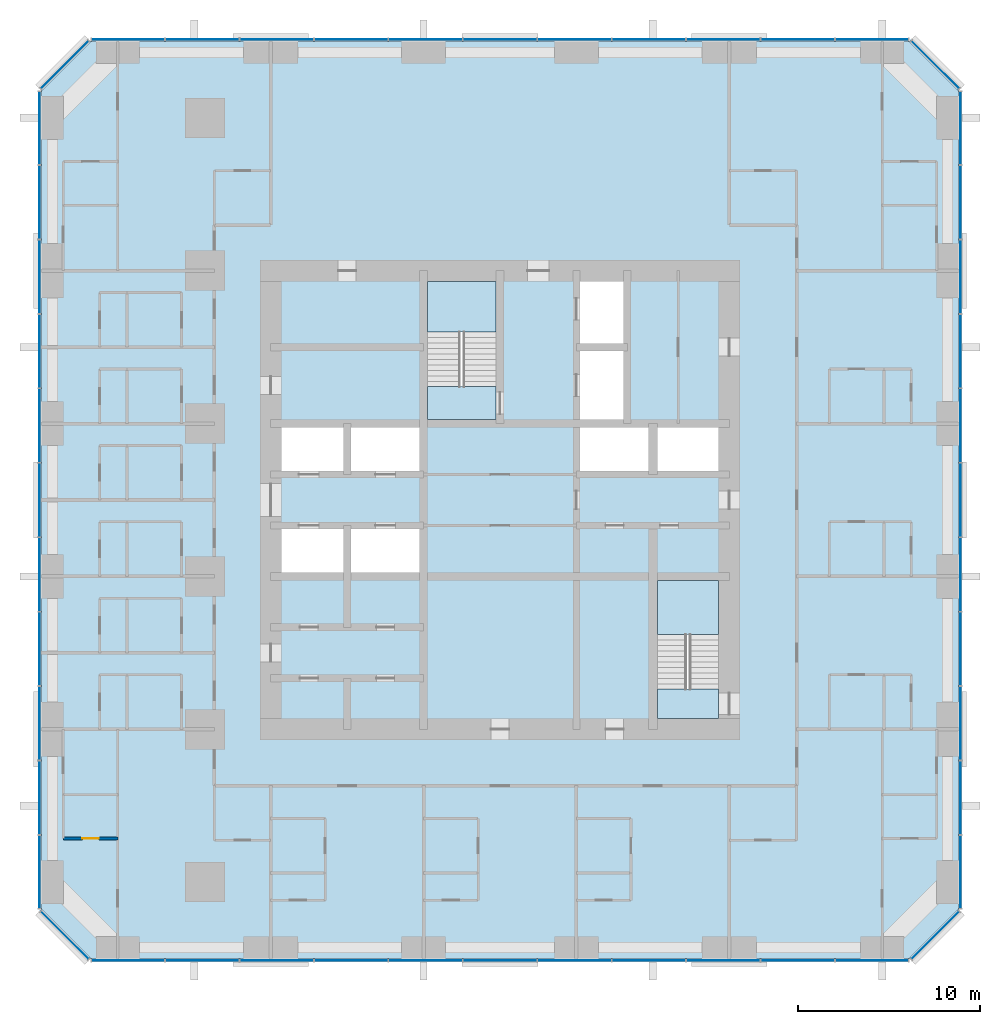
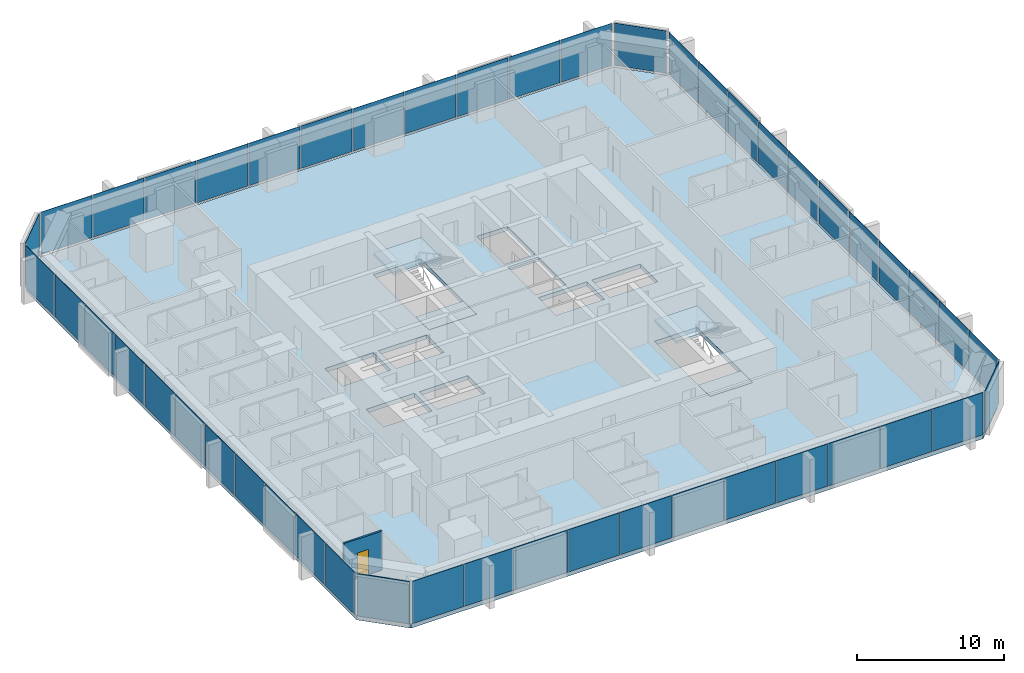
# One storey, part 7 of 13: 48 plates, 5 slabs, 1 door, 1 wall, 1 opening, 10 elements without a shape of their own.
"""IFC4 building model written with IfcOpenShell, lengths in metres."""

from ifc_helpers import new_model, si_unit, direction, frame, frame_2d, origin, origin_2d, place, context, subcontext, project, spatial, polyline, rectangle, outline, extrude, material, layer, layer_set, type_object, element, fill, aggregate, save


model = new_model("IFC4")

# Units and contexts
model_context = context("Model", 3, precision=1e-05, world=origin(), true_north=direction((0.0, 1.0)))
body_context = subcontext(model_context, "Body", "Model", "MODEL_VIEW")
ifc_project = project(units=[si_unit("LENGTHUNIT", "METRE"), si_unit("AREAUNIT", "SQUARE_METRE"), si_unit("VOLUMEUNIT", "CUBIC_METRE"), si_unit("PLANEANGLEUNIT", "RADIAN"), si_unit("MASSUNIT", "GRAM", prefix="KILO")], contexts=[model_context])

# Site, building, storey
site_placement = place(None, origin())
site = spatial("IfcSite", under=ifc_project, at=site_placement, CompositionType="ELEMENT")
building_placement = place(site_placement, origin())
building = spatial("IfcBuilding", under=site, at=building_placement, Name="Dunama Terrace Hotel", CompositionType="ELEMENT")
storey_placement = place(building_placement, frame((0.0, 0.0, 162.60009765625)))
storey = spatial("IfcBuildingStorey", under=building, at=storey_placement, Name="L41", CompositionType="ELEMENT", Elevation=162.60009765625)

# Curtain wall, plates
ifc_material_1 = material(Name="Aluminium curtain wall system", Category="aluminium")
curtain_wall_type = type_object("IfcCurtainWallType", Name="Unitised fritted glass wall CW-C", PredefinedType="NOTDEFINED", material=ifc_material_1)
curtain_wall_1_placement = place(storey_placement, origin())
curtain_wall_1 = element("IfcCurtainWall", 1, at=curtain_wall_1_placement, inside=storey, type_object=curtain_wall_type, Name="Unitised fritted glass wall CW-C L41", PredefinedType="NOTDEFINED")
ifc_material_2 = material(Name="Laminated glass", Category="glass")
ifc_layer_1 = layer(ifc_material_2, 0.031982421875)
ifc_layer_set_1 = layer_set([ifc_layer_1], Name="CWC clear glass panel")
plate_type_1 = type_object("IfcPlateType", Name="CWC clear glass panel", PredefinedType="CURTAIN_PANEL", material=ifc_layer_set_1)
plate_1_placement = place(storey_placement, frame((13.035888671875, 4.10009765625, 0.079833984375), z_axis=(0.0, 0.0, 1.0), x_axis=(1.0, 0.0, 0.0)))
plate_1 = element("IfcPlate", 2, at=plate_1_placement, type_object=plate_type_1, Name="CWC clear glass panel", PredefinedType="CURTAIN_PANEL", context=body_context, shape_type="SweptSolid", body=[
    extrude(rectangle(XDim=4.02099609375, YDim=0.031982421875, at=origin_2d()), origin(), (0.0, 0.0, 1.0), 3.52001953125),
])
plate_2_placement = place(storey_placement, frame((25.30908203125, 4.10009765625, 0.079833984375), z_axis=(0.0, 0.0, 1.0), x_axis=(1.0, 0.0, 0.0)))
plate_2 = element("IfcPlate", 3, at=plate_2_placement, type_object=plate_type_1, Name="CWC clear glass panel", PredefinedType="CURTAIN_PANEL", context=body_context, shape_type="SweptSolid", body=[
    extrude(rectangle(XDim=4.02099609375, YDim=0.031982421875, at=origin_2d()), origin(), (0.0, 0.0, 1.0), 3.52001953125),
])
plate_3_placement = place(storey_placement, frame((37.58203125, 4.10009765625, 0.079833984375), z_axis=(0.0, 0.0, 1.0), x_axis=(1.0, 0.0, 0.0)))
plate_3 = element("IfcPlate", 4, at=plate_3_placement, type_object=plate_type_1, Name="CWC clear glass panel", PredefinedType="CURTAIN_PANEL", context=body_context, shape_type="SweptSolid", body=[
    extrude(rectangle(XDim=4.02099609375, YDim=0.031982421875, at=origin_2d()), origin(), (0.0, 0.0, 1.0), 3.52001953125),
])
plate_4_placement = place(storey_placement, frame((49.8369140625, 4.10009765625, 0.079833984375), z_axis=(0.0, 0.0, 1.0), x_axis=(1.0, 0.0, 0.0)))
plate_4 = element("IfcPlate", 5, at=plate_4_placement, type_object=plate_type_1, Name="CWC clear glass panel", PredefinedType="CURTAIN_PANEL", context=body_context, shape_type="SweptSolid", body=[
    extrude(rectangle(XDim=3.98583984375, YDim=0.031982421875, at=origin_2d()), origin(), (0.0, 0.0, 1.0), 3.52001953125),
])

curtain_wall_2_placement = place(storey_placement, origin())
curtain_wall_2 = element("IfcCurtainWall", 6, at=curtain_wall_2_placement, inside=storey, type_object=curtain_wall_type, Name="Unitised fritted glass wall CW-C L41", PredefinedType="NOTDEFINED")
plate_5_placement = place(storey_placement, frame((54.699951171875, 13.035888671875, 0.079833984375), z_axis=(0.0, 0.0, 1.0), x_axis=(0.0, 1.0, 0.0)))
plate_5 = element("IfcPlate", 7, at=plate_5_placement, type_object=plate_type_1, Name="CWC clear glass panel", PredefinedType="CURTAIN_PANEL", context=body_context, shape_type="SweptSolid", body=[
    extrude(rectangle(XDim=4.02099609375, YDim=0.031982421875, at=origin_2d()), origin(), (0.0, 0.0, 1.0), 3.52001953125),
])
plate_6_placement = place(storey_placement, frame((54.699951171875, 25.30908203125, 0.079833984375), z_axis=(0.0, 0.0, 1.0), x_axis=(0.0, 1.0, 0.0)))
plate_6 = element("IfcPlate", 8, at=plate_6_placement, type_object=plate_type_1, Name="CWC clear glass panel", PredefinedType="CURTAIN_PANEL", context=body_context, shape_type="SweptSolid", body=[
    extrude(rectangle(XDim=4.02099609375, YDim=0.031982421875, at=origin_2d()), origin(), (0.0, 0.0, 1.0), 3.52001953125),
])
plate_7_placement = place(storey_placement, frame((54.699951171875, 37.58203125, 0.079833984375), z_axis=(0.0, 0.0, 1.0), x_axis=(0.0, 1.0, 0.0)))
plate_7 = element("IfcPlate", 9, at=plate_7_placement, type_object=plate_type_1, Name="CWC clear glass panel", PredefinedType="CURTAIN_PANEL", context=body_context, shape_type="SweptSolid", body=[
    extrude(rectangle(XDim=4.02099609375, YDim=0.031982421875, at=origin_2d()), origin(), (0.0, 0.0, 1.0), 3.52001953125),
])
plate_8_placement = place(storey_placement, frame((54.699951171875, 49.8369140625, 0.079833984375), z_axis=(0.0, 0.0, 1.0), x_axis=(0.0, 1.0, 0.0)))
plate_8 = element("IfcPlate", 10, at=plate_8_placement, type_object=plate_type_1, Name="CWC clear glass panel", PredefinedType="CURTAIN_PANEL", context=body_context, shape_type="SweptSolid", body=[
    extrude(rectangle(XDim=3.98583984375, YDim=0.031982421875, at=origin_2d()), origin(), (0.0, 0.0, 1.0), 3.52001953125),
])

curtain_wall_3_placement = place(storey_placement, origin())
curtain_wall_3 = element("IfcCurtainWall", 11, at=curtain_wall_3_placement, inside=storey, type_object=curtain_wall_type, Name="Unitised fritted glass wall CW-C L41", PredefinedType="NOTDEFINED")
plate_9_placement = place(storey_placement, frame((45.763916015625, 54.699951171875, 0.079833984375), z_axis=(0.0, 0.0, 1.0), x_axis=(-1.0, 0.0, 0.0)))
plate_9 = element("IfcPlate", 12, at=plate_9_placement, type_object=plate_type_1, Name="CWC clear glass panel", PredefinedType="CURTAIN_PANEL", context=body_context, shape_type="SweptSolid", body=[
    extrude(rectangle(XDim=4.02099609375, YDim=0.031982421875, at=origin_2d()), origin(), (0.0, 0.0, 1.0), 3.52001953125),
])
plate_10_placement = place(storey_placement, frame((33.490966796875, 54.699951171875, 0.079833984375), z_axis=(0.0, 0.0, 1.0), x_axis=(-1.0, 0.0, 0.0)))
plate_10 = element("IfcPlate", 13, at=plate_10_placement, type_object=plate_type_1, Name="CWC clear glass panel", PredefinedType="CURTAIN_PANEL", context=body_context, shape_type="SweptSolid", body=[
    extrude(rectangle(XDim=4.02099609375, YDim=0.031982421875, at=origin_2d()), origin(), (0.0, 0.0, 1.0), 3.52001953125),
])
plate_11_placement = place(storey_placement, frame((21.218017578125, 54.699951171875, 0.079833984375), z_axis=(0.0, 0.0, 1.0), x_axis=(-1.0, 0.0, 0.0)))
plate_11 = element("IfcPlate", 14, at=plate_11_placement, type_object=plate_type_1, Name="CWC clear glass panel", PredefinedType="CURTAIN_PANEL", context=body_context, shape_type="SweptSolid", body=[
    extrude(rectangle(XDim=4.02099609375, YDim=0.031982421875, at=origin_2d()), origin(), (0.0, 0.0, 1.0), 3.52001953125),
])
plate_12_placement = place(storey_placement, frame((8.962890625, 54.699951171875, 0.079833984375), z_axis=(0.0, 0.0, 1.0), x_axis=(-1.0, 0.0, 0.0)))
plate_12 = element("IfcPlate", 15, at=plate_12_placement, type_object=plate_type_1, Name="CWC clear glass panel", PredefinedType="CURTAIN_PANEL", context=body_context, shape_type="SweptSolid", body=[
    extrude(rectangle(XDim=3.98583984375, YDim=0.031982421875, at=origin_2d()), origin(), (0.0, 0.0, 1.0), 3.52001953125),
])

curtain_wall_4_placement = place(storey_placement, origin())
curtain_wall_4 = element("IfcCurtainWall", 16, at=curtain_wall_4_placement, inside=storey, type_object=curtain_wall_type, Name="Unitised fritted glass wall CW-C L41", PredefinedType="NOTDEFINED")
plate_13_placement = place(storey_placement, frame((4.10009765625, 45.763916015625, 0.079833984375), z_axis=(0.0, 0.0, 1.0), x_axis=(0.0, -1.0, 0.0)))
plate_13 = element("IfcPlate", 17, at=plate_13_placement, type_object=plate_type_1, Name="CWC clear glass panel", PredefinedType="CURTAIN_PANEL", context=body_context, shape_type="SweptSolid", body=[
    extrude(rectangle(XDim=4.02099609375, YDim=0.031982421875, at=origin_2d()), origin(), (0.0, 0.0, 1.0), 3.52001953125),
])
plate_14_placement = place(storey_placement, frame((4.10009765625, 33.490966796875, 0.079833984375), z_axis=(0.0, 0.0, 1.0), x_axis=(0.0, -1.0, 0.0)))
plate_14 = element("IfcPlate", 18, at=plate_14_placement, type_object=plate_type_1, Name="CWC clear glass panel", PredefinedType="CURTAIN_PANEL", context=body_context, shape_type="SweptSolid", body=[
    extrude(rectangle(XDim=4.02099609375, YDim=0.031982421875, at=origin_2d()), origin(), (0.0, 0.0, 1.0), 3.52001953125),
])
plate_15_placement = place(storey_placement, frame((4.10009765625, 21.218017578125, 0.079833984375), z_axis=(0.0, 0.0, 1.0), x_axis=(0.0, -1.0, 0.0)))
plate_15 = element("IfcPlate", 19, at=plate_15_placement, type_object=plate_type_1, Name="CWC clear glass panel", PredefinedType="CURTAIN_PANEL", context=body_context, shape_type="SweptSolid", body=[
    extrude(rectangle(XDim=4.02099609375, YDim=0.031982421875, at=origin_2d()), origin(), (0.0, 0.0, 1.0), 3.52001953125),
])
plate_16_placement = place(storey_placement, frame((4.10009765625, 8.962890625, 0.079833984375), z_axis=(0.0, 0.0, 1.0), x_axis=(0.0, -1.0, 0.0)))
plate_16 = element("IfcPlate", 20, at=plate_16_placement, type_object=plate_type_1, Name="CWC clear glass panel", PredefinedType="CURTAIN_PANEL", context=body_context, shape_type="SweptSolid", body=[
    extrude(rectangle(XDim=3.98583984375, YDim=0.031982421875, at=origin_2d()), origin(), (0.0, 0.0, 1.0), 3.52001953125),
])

# Plate
ifc_material_3 = material(Name="Fritted laminated glass", Category="glass")
ifc_layer_2 = layer(ifc_material_3, 0.031982421875)
ifc_layer_set_2 = layer_set([ifc_layer_2], Name="CWC fritted glass panel")
plate_type_2 = type_object("IfcPlateType", Name="CWC fritted glass panel", PredefinedType="CURTAIN_PANEL", material=ifc_layer_set_2)
plate_17_placement = place(storey_placement, frame((8.962890625, 4.10009765625, 0.079833984375), z_axis=(0.0, 0.0, 1.0), x_axis=(1.0, 0.0, 0.0)))
plate_17 = element("IfcPlate", 21, at=plate_17_placement, type_object=plate_type_2, Name="CWC fritted glass panel", PredefinedType="CURTAIN_PANEL", context=body_context, shape_type="SweptSolid", body=[
    extrude(rectangle(XDim=3.98583984375, YDim=0.031982421875, at=origin_2d()), origin(), (0.0, 0.0, 1.0), 3.52001953125),
])

plate_18_placement = place(storey_placement, frame((21.218017578125, 4.10009765625, 0.079833984375), z_axis=(0.0, 0.0, 1.0), x_axis=(1.0, 0.0, 0.0)))
plate_18 = element("IfcPlate", 22, at=plate_18_placement, type_object=plate_type_2, Name="CWC fritted glass panel", PredefinedType="CURTAIN_PANEL", context=body_context, shape_type="SweptSolid", body=[
    extrude(rectangle(XDim=4.02099609375, YDim=0.031982421875, at=origin_2d()), origin(), (0.0, 0.0, 1.0), 3.52001953125),
])

plate_19_placement = place(storey_placement, frame((33.490966796875, 4.10009765625, 0.079833984375), z_axis=(0.0, 0.0, 1.0), x_axis=(1.0, 0.0, 0.0)))
plate_19 = element("IfcPlate", 23, at=plate_19_placement, type_object=plate_type_2, Name="CWC fritted glass panel", PredefinedType="CURTAIN_PANEL", context=body_context, shape_type="SweptSolid", body=[
    extrude(rectangle(XDim=4.02099609375, YDim=0.031982421875, at=origin_2d()), origin(), (0.0, 0.0, 1.0), 3.52001953125),
])

plate_20_placement = place(storey_placement, frame((45.763916015625, 4.10009765625, 0.079833984375), z_axis=(0.0, 0.0, 1.0), x_axis=(1.0, 0.0, 0.0)))
plate_20 = element("IfcPlate", 24, at=plate_20_placement, type_object=plate_type_2, Name="CWC fritted glass panel", PredefinedType="CURTAIN_PANEL", context=body_context, shape_type="SweptSolid", body=[
    extrude(rectangle(XDim=4.02099609375, YDim=0.031982421875, at=origin_2d()), origin(), (0.0, 0.0, 1.0), 3.52001953125),
])

plate_21_placement = place(storey_placement, frame((54.699951171875, 8.962890625, 0.079833984375), z_axis=(0.0, 0.0, 1.0), x_axis=(0.0, 1.0, 0.0)))
plate_21 = element("IfcPlate", 25, at=plate_21_placement, type_object=plate_type_2, Name="CWC fritted glass panel", PredefinedType="CURTAIN_PANEL", context=body_context, shape_type="SweptSolid", body=[
    extrude(rectangle(XDim=3.98583984375, YDim=0.031982421875, at=origin_2d()), origin(), (0.0, 0.0, 1.0), 3.52001953125),
])

plate_22_placement = place(storey_placement, frame((54.699951171875, 21.218017578125, 0.079833984375), z_axis=(0.0, 0.0, 1.0), x_axis=(0.0, 1.0, 0.0)))
plate_22 = element("IfcPlate", 26, at=plate_22_placement, type_object=plate_type_2, Name="CWC fritted glass panel", PredefinedType="CURTAIN_PANEL", context=body_context, shape_type="SweptSolid", body=[
    extrude(rectangle(XDim=4.02099609375, YDim=0.031982421875, at=origin_2d()), origin(), (0.0, 0.0, 1.0), 3.52001953125),
])

plate_23_placement = place(storey_placement, frame((54.699951171875, 33.490966796875, 0.079833984375), z_axis=(0.0, 0.0, 1.0), x_axis=(0.0, 1.0, 0.0)))
plate_23 = element("IfcPlate", 27, at=plate_23_placement, type_object=plate_type_2, Name="CWC fritted glass panel", PredefinedType="CURTAIN_PANEL", context=body_context, shape_type="SweptSolid", body=[
    extrude(rectangle(XDim=4.02099609375, YDim=0.031982421875, at=origin_2d()), origin(), (0.0, 0.0, 1.0), 3.52001953125),
])

plate_24_placement = place(storey_placement, frame((54.699951171875, 45.763916015625, 0.079833984375), z_axis=(0.0, 0.0, 1.0), x_axis=(0.0, 1.0, 0.0)))
plate_24 = element("IfcPlate", 28, at=plate_24_placement, type_object=plate_type_2, Name="CWC fritted glass panel", PredefinedType="CURTAIN_PANEL", context=body_context, shape_type="SweptSolid", body=[
    extrude(rectangle(XDim=4.02099609375, YDim=0.031982421875, at=origin_2d()), origin(), (0.0, 0.0, 1.0), 3.52001953125),
])

plate_25_placement = place(storey_placement, frame((49.8369140625, 54.699951171875, 0.079833984375), z_axis=(0.0, 0.0, 1.0), x_axis=(-1.0, 0.0, 0.0)))
plate_25 = element("IfcPlate", 29, at=plate_25_placement, type_object=plate_type_2, Name="CWC fritted glass panel", PredefinedType="CURTAIN_PANEL", context=body_context, shape_type="SweptSolid", body=[
    extrude(rectangle(XDim=3.98583984375, YDim=0.031982421875, at=origin_2d()), origin(), (0.0, 0.0, 1.0), 3.52001953125),
])

plate_26_placement = place(storey_placement, frame((37.58203125, 54.699951171875, 0.079833984375), z_axis=(0.0, 0.0, 1.0), x_axis=(-1.0, 0.0, 0.0)))
plate_26 = element("IfcPlate", 30, at=plate_26_placement, type_object=plate_type_2, Name="CWC fritted glass panel", PredefinedType="CURTAIN_PANEL", context=body_context, shape_type="SweptSolid", body=[
    extrude(rectangle(XDim=4.02099609375, YDim=0.031982421875, at=origin_2d()), origin(), (0.0, 0.0, 1.0), 3.52001953125),
])

plate_27_placement = place(storey_placement, frame((25.30908203125, 54.699951171875, 0.079833984375), z_axis=(0.0, 0.0, 1.0), x_axis=(-1.0, 0.0, 0.0)))
plate_27 = element("IfcPlate", 31, at=plate_27_placement, type_object=plate_type_2, Name="CWC fritted glass panel", PredefinedType="CURTAIN_PANEL", context=body_context, shape_type="SweptSolid", body=[
    extrude(rectangle(XDim=4.02099609375, YDim=0.031982421875, at=origin_2d()), origin(), (0.0, 0.0, 1.0), 3.52001953125),
])

plate_28_placement = place(storey_placement, frame((13.035888671875, 54.699951171875, 0.079833984375), z_axis=(0.0, 0.0, 1.0), x_axis=(-1.0, 0.0, 0.0)))
plate_28 = element("IfcPlate", 32, at=plate_28_placement, type_object=plate_type_2, Name="CWC fritted glass panel", PredefinedType="CURTAIN_PANEL", context=body_context, shape_type="SweptSolid", body=[
    extrude(rectangle(XDim=4.02099609375, YDim=0.031982421875, at=origin_2d()), origin(), (0.0, 0.0, 1.0), 3.52001953125),
])

plate_29_placement = place(storey_placement, frame((4.10009765625, 49.8369140625, 0.079833984375), z_axis=(0.0, 0.0, 1.0), x_axis=(0.0, -1.0, 0.0)))
plate_29 = element("IfcPlate", 33, at=plate_29_placement, type_object=plate_type_2, Name="CWC fritted glass panel", PredefinedType="CURTAIN_PANEL", context=body_context, shape_type="SweptSolid", body=[
    extrude(rectangle(XDim=3.98583984375, YDim=0.031982421875, at=origin_2d()), origin(), (0.0, 0.0, 1.0), 3.52001953125),
])

plate_30_placement = place(storey_placement, frame((4.10009765625, 37.58203125, 0.079833984375), z_axis=(0.0, 0.0, 1.0), x_axis=(0.0, -1.0, 0.0)))
plate_30 = element("IfcPlate", 34, at=plate_30_placement, type_object=plate_type_2, Name="CWC fritted glass panel", PredefinedType="CURTAIN_PANEL", context=body_context, shape_type="SweptSolid", body=[
    extrude(rectangle(XDim=4.02099609375, YDim=0.031982421875, at=origin_2d()), origin(), (0.0, 0.0, 1.0), 3.52001953125),
])

plate_31_placement = place(storey_placement, frame((4.10009765625, 25.30908203125, 0.079833984375), z_axis=(0.0, 0.0, 1.0), x_axis=(0.0, -1.0, 0.0)))
plate_31 = element("IfcPlate", 35, at=plate_31_placement, type_object=plate_type_2, Name="CWC fritted glass panel", PredefinedType="CURTAIN_PANEL", context=body_context, shape_type="SweptSolid", body=[
    extrude(rectangle(XDim=4.02099609375, YDim=0.031982421875, at=origin_2d()), origin(), (0.0, 0.0, 1.0), 3.52001953125),
])

plate_32_placement = place(storey_placement, frame((4.10009765625, 13.035888671875, 0.079833984375), z_axis=(0.0, 0.0, 1.0), x_axis=(0.0, -1.0, 0.0)))
plate_32 = element("IfcPlate", 36, at=plate_32_placement, type_object=plate_type_2, Name="CWC fritted glass panel", PredefinedType="CURTAIN_PANEL", context=body_context, shape_type="SweptSolid", body=[
    extrude(rectangle(XDim=4.02099609375, YDim=0.031982421875, at=origin_2d()), origin(), (0.0, 0.0, 1.0), 3.52001953125),
])

ifc_material_4 = material(Name="Laminated glass", Category="glass")
ifc_layer_3 = layer(ifc_material_4, 0.031982421875)
ifc_layer_set_3 = layer_set([ifc_layer_3], Name="CWC operable glass panel")
plate_type_3 = type_object("IfcPlateType", Name="CWC operable glass panel", PredefinedType="CURTAIN_PANEL", material=ifc_layer_set_3)
plate_33_placement = place(storey_placement, frame((17.126953125, 4.10009765625, 0.079833984375), z_axis=(0.0, 0.0, 1.0), x_axis=(1.0, 0.0, 0.0)))
plate_33 = element("IfcPlate", 37, at=plate_33_placement, type_object=plate_type_3, Name="CWC operable glass panel", PredefinedType="CURTAIN_PANEL", context=body_context, shape_type="SweptSolid", body=[
    extrude(rectangle(XDim=4.02099609375, YDim=0.031982421875, at=origin_2d()), origin(), (0.0, 0.0, 1.0), 3.52001953125),
])

plate_34_placement = place(storey_placement, frame((29.39990234375, 4.10009765625, 0.079833984375), z_axis=(0.0, 0.0, 1.0), x_axis=(1.0, 0.0, 0.0)))
plate_34 = element("IfcPlate", 38, at=plate_34_placement, type_object=plate_type_3, Name="CWC operable glass panel", PredefinedType="CURTAIN_PANEL", context=body_context, shape_type="SweptSolid", body=[
    extrude(rectangle(XDim=4.02099609375, YDim=0.031982421875, at=origin_2d()), origin(), (0.0, 0.0, 1.0), 3.52001953125),
])

plate_35_placement = place(storey_placement, frame((41.673095703125, 4.10009765625, 0.079833984375), z_axis=(0.0, 0.0, 1.0), x_axis=(1.0, 0.0, 0.0)))
plate_35 = element("IfcPlate", 39, at=plate_35_placement, type_object=plate_type_3, Name="CWC operable glass panel", PredefinedType="CURTAIN_PANEL", context=body_context, shape_type="SweptSolid", body=[
    extrude(rectangle(XDim=4.02099609375, YDim=0.031982421875, at=origin_2d()), origin(), (0.0, 0.0, 1.0), 3.52001953125),
])

aggregate(curtain_wall_1, [plate_17, plate_1, plate_33, plate_18, plate_2, plate_34, plate_19, plate_3, plate_35, plate_20, plate_4])

# Curtain wall, plate
curtain_wall_5_placement = place(storey_placement, origin())
curtain_wall_5 = element("IfcCurtainWall", 40, at=curtain_wall_5_placement, inside=storey, type_object=curtain_wall_type, Name="Unitised fritted glass wall CW-C L41", PredefinedType="NOTDEFINED")
plate_36_placement = place(storey_placement, frame((53.321044921875, 5.47900390625, 0.079833984375), z_axis=(0.0, 0.0, 1.0), x_axis=(0.707106781187, 0.707106781187, 0.0)))
plate_36 = element("IfcPlate", 41, at=plate_36_placement, type_object=plate_type_3, Name="CWC operable glass panel", PredefinedType="CURTAIN_PANEL", context=body_context, shape_type="SweptSolid", body=[
    extrude(rectangle(XDim=3.678466796875, YDim=0.031982421875, at=origin_2d()), origin(), (0.0, 0.0, 1.0), 3.52001953125),
])
aggregate(curtain_wall_5, [plate_36])

# Plate
plate_37_placement = place(storey_placement, frame((54.699951171875, 17.126953125, 0.079833984375), z_axis=(0.0, 0.0, 1.0), x_axis=(0.0, 1.0, 0.0)))
plate_37 = element("IfcPlate", 42, at=plate_37_placement, type_object=plate_type_3, Name="CWC operable glass panel", PredefinedType="CURTAIN_PANEL", context=body_context, shape_type="SweptSolid", body=[
    extrude(rectangle(XDim=4.02099609375, YDim=0.031982421875, at=origin_2d()), origin(), (0.0, 0.0, 1.0), 3.52001953125),
])

plate_38_placement = place(storey_placement, frame((54.699951171875, 29.39990234375, 0.079833984375), z_axis=(0.0, 0.0, 1.0), x_axis=(0.0, 1.0, 0.0)))
plate_38 = element("IfcPlate", 43, at=plate_38_placement, type_object=plate_type_3, Name="CWC operable glass panel", PredefinedType="CURTAIN_PANEL", context=body_context, shape_type="SweptSolid", body=[
    extrude(rectangle(XDim=4.02099609375, YDim=0.031982421875, at=origin_2d()), origin(), (0.0, 0.0, 1.0), 3.52001953125),
])

plate_39_placement = place(storey_placement, frame((54.699951171875, 41.673095703125, 0.079833984375), z_axis=(0.0, 0.0, 1.0), x_axis=(0.0, 1.0, 0.0)))
plate_39 = element("IfcPlate", 44, at=plate_39_placement, type_object=plate_type_3, Name="CWC operable glass panel", PredefinedType="CURTAIN_PANEL", context=body_context, shape_type="SweptSolid", body=[
    extrude(rectangle(XDim=4.02099609375, YDim=0.031982421875, at=origin_2d()), origin(), (0.0, 0.0, 1.0), 3.52001953125),
])

aggregate(curtain_wall_2, [plate_21, plate_5, plate_37, plate_22, plate_6, plate_38, plate_23, plate_7, plate_39, plate_24, plate_8])

# Curtain wall, plate
curtain_wall_6_placement = place(storey_placement, origin())
curtain_wall_6 = element("IfcCurtainWall", 45, at=curtain_wall_6_placement, inside=storey, type_object=curtain_wall_type, Name="Unitised fritted glass wall CW-C L41", PredefinedType="NOTDEFINED")
plate_40_placement = place(storey_placement, frame((53.321044921875, 53.321044921875, 0.079833984375), z_axis=(0.0, 0.0, 1.0), x_axis=(-0.707106781187, 0.707106781187, 0.0)))
plate_40 = element("IfcPlate", 46, at=plate_40_placement, type_object=plate_type_3, Name="CWC operable glass panel", PredefinedType="CURTAIN_PANEL", context=body_context, shape_type="SweptSolid", body=[
    extrude(rectangle(XDim=3.678466796875, YDim=0.031982421875, at=origin_2d()), origin(), (0.0, 0.0, 1.0), 3.52001953125),
])
aggregate(curtain_wall_6, [plate_40])

# Plate
plate_41_placement = place(storey_placement, frame((41.673095703125, 54.699951171875, 0.079833984375), z_axis=(0.0, 0.0, 1.0), x_axis=(-1.0, 0.0, 0.0)))
plate_41 = element("IfcPlate", 47, at=plate_41_placement, type_object=plate_type_3, Name="CWC operable glass panel", PredefinedType="CURTAIN_PANEL", context=body_context, shape_type="SweptSolid", body=[
    extrude(rectangle(XDim=4.02099609375, YDim=0.031982421875, at=origin_2d()), origin(), (0.0, 0.0, 1.0), 3.52001953125),
])

plate_42_placement = place(storey_placement, frame((29.39990234375, 54.699951171875, 0.079833984375), z_axis=(0.0, 0.0, 1.0), x_axis=(-1.0, 0.0, 0.0)))
plate_42 = element("IfcPlate", 48, at=plate_42_placement, type_object=plate_type_3, Name="CWC operable glass panel", PredefinedType="CURTAIN_PANEL", context=body_context, shape_type="SweptSolid", body=[
    extrude(rectangle(XDim=4.02099609375, YDim=0.031982421875, at=origin_2d()), origin(), (0.0, 0.0, 1.0), 3.52001953125),
])

plate_43_placement = place(storey_placement, frame((17.126953125, 54.699951171875, 0.079833984375), z_axis=(0.0, 0.0, 1.0), x_axis=(-1.0, 0.0, 0.0)))
plate_43 = element("IfcPlate", 49, at=plate_43_placement, type_object=plate_type_3, Name="CWC operable glass panel", PredefinedType="CURTAIN_PANEL", context=body_context, shape_type="SweptSolid", body=[
    extrude(rectangle(XDim=4.02099609375, YDim=0.031982421875, at=origin_2d()), origin(), (0.0, 0.0, 1.0), 3.52001953125),
])

aggregate(curtain_wall_3, [plate_25, plate_9, plate_41, plate_26, plate_10, plate_42, plate_27, plate_11, plate_43, plate_28, plate_12])

# Curtain wall, plate
curtain_wall_7_placement = place(storey_placement, origin())
curtain_wall_7 = element("IfcCurtainWall", 50, at=curtain_wall_7_placement, inside=storey, type_object=curtain_wall_type, Name="Unitised fritted glass wall CW-C L41", PredefinedType="NOTDEFINED")
plate_44_placement = place(storey_placement, frame((5.47900390625, 53.321044921875, 0.079833984375), z_axis=(0.0, 0.0, 1.0), x_axis=(-0.707106781187, -0.707106781187, 0.0)))
plate_44 = element("IfcPlate", 51, at=plate_44_placement, type_object=plate_type_3, Name="CWC operable glass panel", PredefinedType="CURTAIN_PANEL", context=body_context, shape_type="SweptSolid", body=[
    extrude(rectangle(XDim=3.678466796875, YDim=0.031982421875, at=origin_2d()), origin(), (0.0, 0.0, 1.0), 3.52001953125),
])
aggregate(curtain_wall_7, [plate_44])

# Plate
plate_45_placement = place(storey_placement, frame((4.10009765625, 41.673095703125, 0.079833984375), z_axis=(0.0, 0.0, 1.0), x_axis=(0.0, -1.0, 0.0)))
plate_45 = element("IfcPlate", 52, at=plate_45_placement, type_object=plate_type_3, Name="CWC operable glass panel", PredefinedType="CURTAIN_PANEL", context=body_context, shape_type="SweptSolid", body=[
    extrude(rectangle(XDim=4.02099609375, YDim=0.031982421875, at=origin_2d()), origin(), (0.0, 0.0, 1.0), 3.52001953125),
])

plate_46_placement = place(storey_placement, frame((4.10009765625, 29.39990234375, 0.079833984375), z_axis=(0.0, 0.0, 1.0), x_axis=(0.0, -1.0, 0.0)))
plate_46 = element("IfcPlate", 53, at=plate_46_placement, type_object=plate_type_3, Name="CWC operable glass panel", PredefinedType="CURTAIN_PANEL", context=body_context, shape_type="SweptSolid", body=[
    extrude(rectangle(XDim=4.02099609375, YDim=0.031982421875, at=origin_2d()), origin(), (0.0, 0.0, 1.0), 3.52001953125),
])

plate_47_placement = place(storey_placement, frame((4.10009765625, 17.126953125, 0.079833984375), z_axis=(0.0, 0.0, 1.0), x_axis=(0.0, -1.0, 0.0)))
plate_47 = element("IfcPlate", 54, at=plate_47_placement, type_object=plate_type_3, Name="CWC operable glass panel", PredefinedType="CURTAIN_PANEL", context=body_context, shape_type="SweptSolid", body=[
    extrude(rectangle(XDim=4.02099609375, YDim=0.031982421875, at=origin_2d()), origin(), (0.0, 0.0, 1.0), 3.52001953125),
])

aggregate(curtain_wall_4, [plate_29, plate_13, plate_45, plate_30, plate_14, plate_46, plate_31, plate_15, plate_47, plate_32, plate_16])

# Curtain wall, plate
curtain_wall_8_placement = place(storey_placement, origin())
curtain_wall_8 = element("IfcCurtainWall", 55, at=curtain_wall_8_placement, inside=storey, type_object=curtain_wall_type, Name="Unitised fritted glass wall CW-C L41", PredefinedType="NOTDEFINED")
plate_48_placement = place(storey_placement, frame((5.47900390625, 5.47900390625, 0.079833984375), z_axis=(0.0, 0.0, 1.0), x_axis=(0.707106781187, -0.707106781187, 0.0)))
plate_48 = element("IfcPlate", 56, at=plate_48_placement, type_object=plate_type_3, Name="CWC operable glass panel", PredefinedType="CURTAIN_PANEL", context=body_context, shape_type="SweptSolid", body=[
    extrude(rectangle(XDim=3.678466796875, YDim=0.031982421875, at=origin_2d()), origin(), (0.0, 0.0, 1.0), 3.52001953125),
])
aggregate(curtain_wall_8, [plate_48])

# Slab
ifc_material_5 = material(Name="Concrete C40/50", Category="concrete")
ifc_layer_4 = layer(ifc_material_5, 0.35009765625)
ifc_layer_set_4 = layer_set([ifc_layer_4], Name="Flat plate 350")
slab_type_1 = type_object("IfcSlabType", Name="Flat plate 350", PredefinedType="FLOOR", material=ifc_layer_set_4)
slab_1_placement = place(storey_placement, frame((0.0, 0.0, -0.35009765625)))
element("IfcSlab", 57, at=slab_1_placement, inside=storey, type_object=slab_type_1, Name="Floor slab L41", PredefinedType="FLOOR", context=body_context, shape_type="SweptSolid", body=[
    extrude(outline(polyline([(6.89990234375, 4.199951171875), (51.89990234375, 4.199951171875), (54.60009765625, 6.89990234375), (54.60009765625, 51.89990234375), (51.89990234375, 54.60009765625), (6.89990234375, 54.60009765625), (4.199951171875, 51.89990234375), (4.199951171875, 6.89990234375), (6.89990234375, 4.199951171875)]), holes=[polyline([(20.800048828125, 25.39990234375), (20.800048828125, 27.800048828125), (17.0, 27.800048828125), (17.0, 25.39990234375), (20.800048828125, 25.39990234375)]), polyline([(25.0, 25.39990234375), (25.0, 27.800048828125), (21.199951171875, 27.800048828125), (21.199951171875, 25.39990234375), (25.0, 25.39990234375)]), polyline([(20.800048828125, 31.0), (20.800048828125, 33.39990234375), (17.0, 33.39990234375), (17.0, 31.0), (20.800048828125, 31.0)]), polyline([(25.0, 31.0), (25.0, 33.39990234375), (21.199951171875, 33.39990234375), (21.199951171875, 31.0), (25.0, 31.0)]), polyline([(37.60009765625, 31.0), (37.60009765625, 33.39990234375), (33.800048828125, 33.39990234375), (33.800048828125, 31.0), (37.60009765625, 31.0)]), polyline([(41.800048828125, 31.0), (41.800048828125, 33.39990234375), (38.0, 33.39990234375), (38.0, 31.0), (41.800048828125, 31.0)]), polyline([(36.199951171875, 38.0), (36.199951171875, 41.800048828125), (33.800048828125, 41.800048828125), (33.800048828125, 38.0), (36.199951171875, 38.0)]), polyline([(36.199951171875, 33.800048828125), (36.199951171875, 37.60009765625), (33.800048828125, 37.60009765625), (33.800048828125, 33.800048828125), (36.199951171875, 33.800048828125)]), polyline([(29.175048828125, 33.824951171875), (29.175048828125, 41.39990234375), (25.425048828125, 41.39990234375), (25.425048828125, 33.824951171875), (29.175048828125, 33.824951171875)]), polyline([(41.39990234375, 17.39990234375), (41.39990234375, 24.97509765625), (38.050048828125, 24.97509765625), (38.050048828125, 17.39990234375), (41.39990234375, 17.39990234375)])]), origin(), (0.0, 0.0, 1.0), 0.35009765625),
])

# Stair, slabs
ifc_material_6 = material(Name="Concrete C40/50", Category="concrete")
stair_type_1 = type_object("IfcStairType", Name="Stair ST1-3600-1800", PredefinedType="HALF_TURN_STAIR", material=ifc_material_6)
stair_1_placement = place(storey_placement, origin())
stair_1 = element("IfcStair", 58, at=stair_1_placement, inside=storey, type_object=stair_type_1, Name="Stair ST1 L41", PredefinedType="HALF_TURN_STAIR")
ifc_material_7 = material(Name="Concrete C40/50", Category="concrete")
ifc_layer_5 = layer(ifc_material_7, 0.199951171875)
ifc_layer_set_5 = layer_set([ifc_layer_5], Name="Stair landing 200")
slab_type_2 = type_object("IfcSlabType", Name="Stair landing 200", PredefinedType="LANDING", material=ifc_layer_set_5)
slab_2_placement = place(storey_placement, frame((0.0, 0.0, -0.2001953125)))
slab_2 = element("IfcSlab", 59, at=slab_2_placement, type_object=slab_type_2, Name="ST1 landing 1, type S10", PredefinedType="LANDING", context=body_context, shape_type="SweptSolid", body=[
    extrude(outline(polyline([(25.425048828125, 33.824951171875), (29.175048828125, 33.824951171875), (29.175048828125, 35.625), (25.425048828125, 35.625), (25.425048828125, 33.824951171875)])), origin(), (0.0, 0.0, 1.0), 0.2001953125),
])
slab_3_placement = place(storey_placement, frame((0.0, 0.0, 1.599853515625)))
slab_3 = element("IfcSlab", 60, at=slab_3_placement, type_object=slab_type_2, Name="ST1 landing 2, type S10", PredefinedType="LANDING", context=body_context, shape_type="SweptSolid", body=[
    extrude(outline(polyline([(25.425048828125, 38.625), (29.175048828125, 38.625), (29.175048828125, 41.39990234375), (25.425048828125, 41.39990234375), (25.425048828125, 38.625)])), origin(), (0.0, 0.0, 1.0), 0.199951171875),
])
aggregate(stair_1, [slab_2, slab_3])

ifc_material_8 = material(Name="Concrete C40/50", Category="concrete")
stair_type_2 = type_object("IfcStairType", Name="Stair ST2-3600-1600", PredefinedType="HALF_TURN_STAIR", material=ifc_material_8)
stair_2_placement = place(storey_placement, origin())
stair_2 = element("IfcStair", 61, at=stair_2_placement, inside=storey, type_object=stair_type_2, Name="Stair ST2 L41", PredefinedType="HALF_TURN_STAIR")
slab_4_placement = place(storey_placement, frame((0.0, 0.0, -0.2001953125)))
slab_4 = element("IfcSlab", 62, at=slab_4_placement, type_object=slab_type_2, Name="ST2 landing 1, type S10", PredefinedType="LANDING", context=body_context, shape_type="SweptSolid", body=[
    extrude(outline(polyline([(38.050048828125, 17.39990234375), (41.39990234375, 17.39990234375), (41.39990234375, 19.0), (38.050048828125, 19.0), (38.050048828125, 17.39990234375)])), origin(), (0.0, 0.0, 1.0), 0.2001953125),
])
slab_5_placement = place(storey_placement, frame((0.0, 0.0, 1.599853515625)))
slab_5 = element("IfcSlab", 63, at=slab_5_placement, type_object=slab_type_2, Name="ST2 landing 2, type S10", PredefinedType="LANDING", context=body_context, shape_type="SweptSolid", body=[
    extrude(outline(polyline([(38.050048828125, 22.0), (41.39990234375, 22.0), (41.39990234375, 24.97509765625), (38.050048828125, 24.97509765625), (38.050048828125, 22.0)])), origin(), (0.0, 0.0, 1.0), 0.199951171875),
])
aggregate(stair_2, [slab_4, slab_5])

# Wall, opening, door
ifc_material_9 = material(Name="Gypsum board partition", Category="masonry")
ifc_layer_6 = layer(ifc_material_9, 0.14990234375)
ifc_layer_set_6 = layer_set([ifc_layer_6], Name="Room partition 150")
wall_type = type_object("IfcWallType", Name="Room partition 150", PredefinedType="PARTITIONING", material=ifc_layer_set_6)
wall_placement = place(storey_placement, frame((5.39990234375, 10.800048828125, 0.0), z_axis=(0.0, 0.0, 1.0), x_axis=(1.0, 0.0, 0.0)))
wall = element("IfcWall", 64, at=wall_placement, inside=storey, type_object=wall_type, Name="Room partition 150 L41", PredefinedType="PARTITIONING", context=body_context, shape_type="SweptSolid", body=[
    extrude(rectangle(XDim=3.0, YDim=0.14990234375, at=frame_2d((1.5, 0.0))), origin(), (0.0, 0.0, 1.0), 3.25),
])
opening_placement = place(wall_placement, frame((1.050048828125, 0.0, 0.0)))
opening = element("IfcOpeningElement", 65, at=opening_placement, cuts=wall, Name="Opening L41-049", PredefinedType="OPENING", context=body_context, shape_type="SweptSolid", body=[
    extrude(rectangle(XDim=0.89990234375, YDim=2.10009765625, at=frame_2d((0.449951171875, 1.050048828125))), frame((0.0, 0.0849609375, 0.0), z_axis=(0.0, -1.0, 0.0), x_axis=(1.0, 0.0, 0.0)), (0.0, 0.0, 1.0), 0.169921875),
])
ifc_material_10 = material(Name="Timber door with steel frame", Category="steel")
door_type = type_object("IfcDoorType", Name="Suite internal door 900", OperationType="SINGLE_SWING_LEFT", PredefinedType="DOOR", material=ifc_material_10)
door_placement = place(opening_placement, origin())
door = element("IfcDoor", 66, at=door_placement, inside=storey, type_object=door_type, Name="Door to dressing room L41-049, type D16", OperationType="SINGLE_SWING_LEFT", OverallHeight=2.10009765625, OverallWidth=0.89990234375, PredefinedType="DOOR", context=body_context, shape_type="SweptSolid", body=[
    extrude(rectangle(XDim=0.89990234375, YDim=2.10009765625, at=frame_2d((0.449951171875, 1.050048828125))), frame((0.0, 0.02490234375, 0.0), z_axis=(0.0, -1.0, 0.0), x_axis=(1.0, 0.0, 0.0)), (0.0, 0.0, 1.0), 0.050048828125),
])
fill(opening, door)

save(model, "model.ifc")
